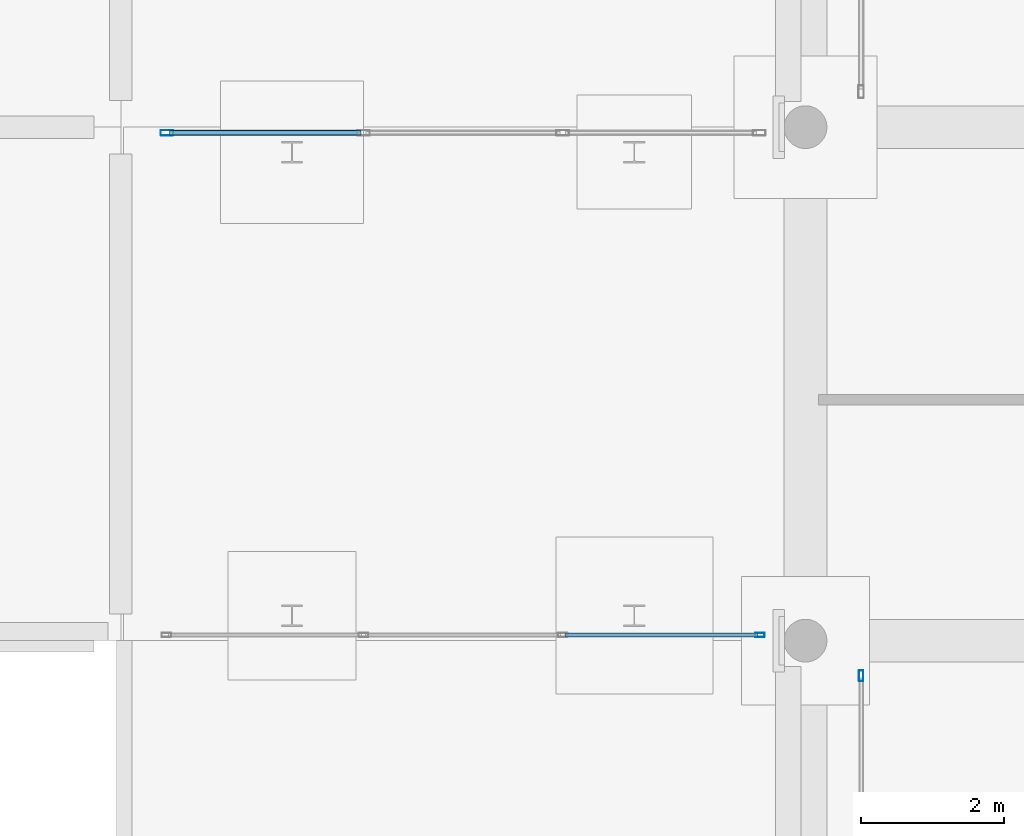
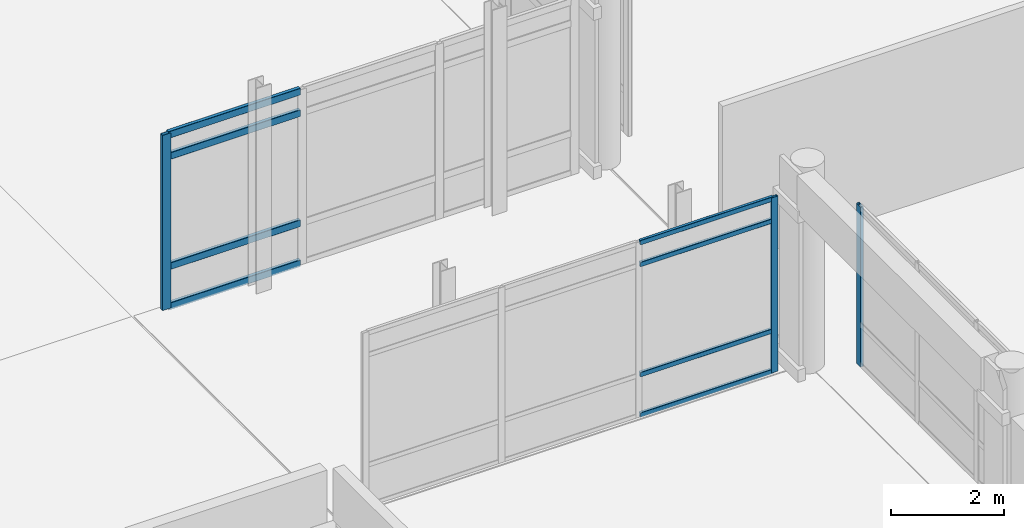
# One storey, part 74 of 196: 11 members, 3 elements without a shape of their own.
"""IFC4 building model written with IfcOpenShell, lengths in metres."""

from ifc_helpers import new_model, si_unit, direction, frame, origin, origin_2d, place, context, subcontext, project, spatial, hollow_rectangle, extrude, material, layer, layer_set, material_profile, profile_set, type_object, element, aggregate, save


model = new_model("IFC4")

# Units and contexts
model_context = context("Model", 3, precision=1e-05, world=origin(), true_north=direction((0.0, 1.0)))
body_context = subcontext(model_context, "Body", "Model", "MODEL_VIEW")
ifc_project = project(units=[si_unit("LENGTHUNIT", "METRE"), si_unit("AREAUNIT", "SQUARE_METRE"), si_unit("VOLUMEUNIT", "CUBIC_METRE"), si_unit("PLANEANGLEUNIT", "RADIAN"), si_unit("MASSUNIT", "GRAM", prefix="KILO")], contexts=[model_context])

# Site, building, storey
site_placement = place(None, origin())
site = spatial("IfcSite", under=ifc_project, at=site_placement, CompositionType="ELEMENT")
building_placement = place(site_placement, origin())
building = spatial("IfcBuilding", under=site, at=building_placement, Name="Asteropetra Specialist Clinic", CompositionType="ELEMENT")
storey_placement = place(building_placement, origin())
storey = spatial("IfcBuildingStorey", under=building, at=storey_placement, Name="L00", CompositionType="ELEMENT", Elevation=0.0)

# Curtain wall, member
ifc_material_1 = material(Name="Aluminium and low-E glass", Category="aluminium")
ifc_layer_1 = layer(ifc_material_1, 0.14990234375)
ifc_layer_set_1 = layer_set([ifc_layer_1], Name="Aluminium and low-E glass")
curtain_wall_type_1 = type_object("IfcCurtainWallType", Name="CW-SYS-02", PredefinedType="USERDEFINED", material=ifc_layer_set_1)
curtain_wall_1_placement = place(storey_placement, origin())
curtain_wall_1 = element("IfcCurtainWall", 1, at=curtain_wall_1_placement, inside=storey, type_object=curtain_wall_type_1, Name="Curtain Wall CW-113", ObjectType="UNITISED CURTAIN WALL", PredefinedType="USERDEFINED")
ifc_material_2 = material(Name="Aluminium 6063-T6", Category="aluminium")
ifc_material_profile_1 = material_profile(ifc_material_2, hollow_rectangle(XDim=0.06005859375, YDim=0.135009765625, WallThickness=0.00341796875, InnerFilletRadius=0.00341796875, OuterFilletRadius=0.007080078125, at=origin_2d()), Name="MUL 135x60x3.5")
ifc_profile_set_1 = profile_set([ifc_material_profile_1], Name="Aluminium 6063-T6")
member_type_1 = type_object("IfcMemberType", Name="CWM-135x60", PredefinedType="MULLION", material=ifc_profile_set_1)
member_1_placement = place(storey_placement, frame((76.159912109375, 48.080078125, 0.0), z_axis=(0.0, 0.0, 1.0), x_axis=(0.0, 1.0, 0.0)))
member_1 = element("IfcMember", 2, at=member_1_placement, type_object=member_type_1, Name="CW-113 mullion 4", PredefinedType="MULLION", context=body_context, shape_type="SweptSolid", body=[
    extrude(hollow_rectangle(XDim=0.06005859375, YDim=0.135009765625, WallThickness=0.00341796875, InnerFilletRadius=0.00341796875, OuterFilletRadius=0.007080078125, at=origin_2d()), origin(), (0.0, 0.0, 1.0), 3.77001953125),
])

ifc_material_3 = material(Name="Aluminium and low-E glass", Category="aluminium")
ifc_layer_2 = layer(ifc_material_3, 0.179931640625)
ifc_layer_set_2 = layer_set([ifc_layer_2], Name="Aluminium and low-E glass")
curtain_wall_type_2 = type_object("IfcCurtainWallType", Name="CW-SYS-10", PredefinedType="USERDEFINED", material=ifc_layer_set_2)
curtain_wall_2_placement = place(storey_placement, origin())
curtain_wall_2 = element("IfcCurtainWall", 3, at=curtain_wall_2_placement, inside=storey, type_object=curtain_wall_type_2, Name="Curtain Wall CW-169", ObjectType="STICK GLAZED COLONNADE", PredefinedType="USERDEFINED")
ifc_material_4 = material(Name="Aluminium 6063-T6", Category="aluminium")
ifc_material_profile_2 = material_profile(ifc_material_4, hollow_rectangle(XDim=0.06494140625, YDim=0.14990234375, WallThickness=0.00390625, InnerFilletRadius=0.00390625, OuterFilletRadius=0.008056640625, at=origin_2d()), Name="MUL 150x65x4.0")
ifc_profile_set_2 = profile_set([ifc_material_profile_2], Name="Aluminium 6063-T6")
member_type_2 = type_object("IfcMemberType", Name="CWM-150x65", PredefinedType="MULLION", material=ifc_profile_set_2)
member_2_placement = place(storey_placement, frame((77.580078125, 47.507568359375, 0.0), z_axis=(0.0, 0.0, 1.0), x_axis=(1.0, 0.0, 0.0)))
member_2 = element("IfcMember", 4, at=member_2_placement, type_object=member_type_2, Name="CW-169 mullion 1", PredefinedType="MULLION", context=body_context, shape_type="SweptSolid", body=[
    extrude(hollow_rectangle(XDim=0.06494140625, YDim=0.14990234375, WallThickness=0.00390625, InnerFilletRadius=0.00390625, OuterFilletRadius=0.008056640625, at=origin_2d()), origin(), (0.0, 0.0, 1.0), 3.43994140625),
])
aggregate(curtain_wall_2, [member_2])

ifc_material_5 = material(Name="Aluminium and low-E glass", Category="aluminium")
ifc_layer_3 = layer(ifc_material_5, 0.135009765625)
ifc_layer_set_3 = layer_set([ifc_layer_3], Name="Aluminium and low-E glass")
curtain_wall_type_3 = type_object("IfcCurtainWallType", Name="CW-SYS-03", PredefinedType="USERDEFINED", material=ifc_layer_set_3)
curtain_wall_3_placement = place(storey_placement, origin())
curtain_wall_3 = element("IfcCurtainWall", 5, at=curtain_wall_3_placement, inside=storey, type_object=curtain_wall_type_3, Name="Curtain Wall CW-114", ObjectType="UNITISED CURTAIN WALL", PredefinedType="USERDEFINED")
ifc_material_6 = material(Name="Aluminium 6063-T6", Category="aluminium")
ifc_material_profile_3 = material_profile(ifc_material_6, hollow_rectangle(XDim=0.074951171875, YDim=0.179931640625, WallThickness=0.00390625, InnerFilletRadius=0.00390625, OuterFilletRadius=0.008056640625, at=origin_2d()), Name="MUL 180x75x4.0")
ifc_profile_set_3 = profile_set([ifc_material_profile_3], Name="Aluminium 6063-T6")
member_type_3 = type_object("IfcMemberType", Name="CWM-180x75", PredefinedType="MULLION", material=ifc_profile_set_3)
member_3_placement = place(storey_placement, frame((67.847412109375, 55.1201171875, 0.0), z_axis=(0.0, 0.0, 1.0), x_axis=(0.0, -1.0, 0.0)))
member_3 = element("IfcMember", 6, at=member_3_placement, type_object=member_type_3, Name="CW-114 mullion 4", PredefinedType="MULLION", context=body_context, shape_type="SweptSolid", body=[
    extrude(hollow_rectangle(XDim=0.074951171875, YDim=0.179931640625, WallThickness=0.00390625, InnerFilletRadius=0.00390625, OuterFilletRadius=0.008056640625, at=origin_2d()), origin(), (0.0, 0.0, 1.0), 3.77001953125),
])

# Member
ifc_material_7 = material(Name="Aluminium 6063-T6", Category="aluminium")
ifc_material_profile_4 = material_profile(ifc_material_7, hollow_rectangle(XDim=0.06005859375, YDim=0.10009765625, WallThickness=0.00341796875, InnerFilletRadius=0.00341796875, OuterFilletRadius=0.007080078125, at=origin_2d()), Name="TRN 100x60x3.5")
ifc_profile_set_4 = profile_set([ifc_material_profile_4], Name="Aluminium 6063-T6")
member_type_4 = type_object("IfcMemberType", Name="CWT-100x60", PredefinedType="USERDEFINED", material=ifc_profile_set_4)
member_4_placement = place(storey_placement, frame((73.4267578125, 48.080078125, 0.030029296875), z_axis=(1.0, 0.0, 0.0), x_axis=(0.0, 1.0, 0.0)))
member_4 = element("IfcMember", 7, at=member_4_placement, type_object=member_type_4, Name="CW-113 transom 3.1", ObjectType="TRANSOM", PredefinedType="USERDEFINED", context=body_context, shape_type="SweptSolid", body=[
    extrude(hollow_rectangle(XDim=0.06005859375, YDim=0.10009765625, WallThickness=0.00341796875, InnerFilletRadius=0.00341796875, OuterFilletRadius=0.007080078125, at=origin_2d()), origin(), (0.0, 0.0, 1.0), 2.703125),
])

member_5_placement = place(storey_placement, frame((73.4267578125, 48.080078125, 0.89990234375), z_axis=(1.0, 0.0, 0.0), x_axis=(0.0, 1.0, 0.0)))
member_5 = element("IfcMember", 8, at=member_5_placement, type_object=member_type_4, Name="CW-113 transom 3.2", ObjectType="TRANSOM", PredefinedType="USERDEFINED", context=body_context, shape_type="SweptSolid", body=[
    extrude(hollow_rectangle(XDim=0.06005859375, YDim=0.10009765625, WallThickness=0.00341796875, InnerFilletRadius=0.00341796875, OuterFilletRadius=0.007080078125, at=origin_2d()), origin(), (0.0, 0.0, 1.0), 2.703125),
])

member_6_placement = place(storey_placement, frame((73.4267578125, 48.080078125, 3.27001953125), z_axis=(1.0, 0.0, 0.0), x_axis=(0.0, 1.0, 0.0)))
member_6 = element("IfcMember", 9, at=member_6_placement, type_object=member_type_4, Name="CW-113 transom 3.3", ObjectType="TRANSOM", PredefinedType="USERDEFINED", context=body_context, shape_type="SweptSolid", body=[
    extrude(hollow_rectangle(XDim=0.06005859375, YDim=0.10009765625, WallThickness=0.00341796875, InnerFilletRadius=0.00341796875, OuterFilletRadius=0.007080078125, at=origin_2d()), origin(), (0.0, 0.0, 1.0), 2.703125),
])

member_7_placement = place(storey_placement, frame((73.4267578125, 48.080078125, 3.739990234375), z_axis=(1.0, 0.0, 0.0), x_axis=(0.0, 1.0, 0.0)))
member_7 = element("IfcMember", 10, at=member_7_placement, type_object=member_type_4, Name="CW-113 transom 3.4", ObjectType="TRANSOM", PredefinedType="USERDEFINED", context=body_context, shape_type="SweptSolid", body=[
    extrude(hollow_rectangle(XDim=0.06005859375, YDim=0.10009765625, WallThickness=0.00341796875, InnerFilletRadius=0.00341796875, OuterFilletRadius=0.007080078125, at=origin_2d()), origin(), (0.0, 0.0, 1.0), 2.703125),
])

aggregate(curtain_wall_1, [member_1, member_4, member_5, member_6, member_7])

ifc_material_8 = material(Name="Aluminium 6063-T6", Category="aluminium")
ifc_material_profile_5 = material_profile(ifc_material_8, hollow_rectangle(XDim=0.074951171875, YDim=0.14990234375, WallThickness=0.00390625, InnerFilletRadius=0.00390625, OuterFilletRadius=0.008056640625, at=origin_2d()), Name="TRN 150x75x4.0")
ifc_profile_set_5 = profile_set([ifc_material_profile_5], Name="Aluminium 6063-T6")
member_type_5 = type_object("IfcMemberType", Name="CWT-150x75", PredefinedType="USERDEFINED", material=ifc_profile_set_5)
member_8_placement = place(storey_placement, frame((70.56591796875, 55.1201171875, 0.03759765625), z_axis=(-1.0, 0.0, 0.0), x_axis=(0.0, -1.0, 0.0)))
member_8 = element("IfcMember", 11, at=member_8_placement, type_object=member_type_5, Name="CW-114 transom 3.1", ObjectType="TRANSOM", PredefinedType="USERDEFINED", context=body_context, shape_type="SweptSolid", body=[
    extrude(hollow_rectangle(XDim=0.074951171875, YDim=0.14990234375, WallThickness=0.00390625, InnerFilletRadius=0.00390625, OuterFilletRadius=0.008056640625, at=origin_2d()), origin(), (0.0, 0.0, 1.0), 2.680908203125),
])

member_9_placement = place(storey_placement, frame((70.56591796875, 55.1201171875, 0.89990234375), z_axis=(-1.0, 0.0, 0.0), x_axis=(0.0, -1.0, 0.0)))
member_9 = element("IfcMember", 12, at=member_9_placement, type_object=member_type_5, Name="CW-114 transom 3.2", ObjectType="TRANSOM", PredefinedType="USERDEFINED", context=body_context, shape_type="SweptSolid", body=[
    extrude(hollow_rectangle(XDim=0.074951171875, YDim=0.14990234375, WallThickness=0.00390625, InnerFilletRadius=0.00390625, OuterFilletRadius=0.008056640625, at=origin_2d()), origin(), (0.0, 0.0, 1.0), 2.680908203125),
])

member_10_placement = place(storey_placement, frame((70.56591796875, 55.1201171875, 3.27001953125), z_axis=(-1.0, 0.0, 0.0), x_axis=(0.0, -1.0, 0.0)))
member_10 = element("IfcMember", 13, at=member_10_placement, type_object=member_type_5, Name="CW-114 transom 3.3", ObjectType="TRANSOM", PredefinedType="USERDEFINED", context=body_context, shape_type="SweptSolid", body=[
    extrude(hollow_rectangle(XDim=0.074951171875, YDim=0.14990234375, WallThickness=0.00390625, InnerFilletRadius=0.00390625, OuterFilletRadius=0.008056640625, at=origin_2d()), origin(), (0.0, 0.0, 1.0), 2.680908203125),
])

member_11_placement = place(storey_placement, frame((70.56591796875, 55.1201171875, 3.732421875), z_axis=(-1.0, 0.0, 0.0), x_axis=(0.0, -1.0, 0.0)))
member_11 = element("IfcMember", 14, at=member_11_placement, type_object=member_type_5, Name="CW-114 transom 3.4", ObjectType="TRANSOM", PredefinedType="USERDEFINED", context=body_context, shape_type="SweptSolid", body=[
    extrude(hollow_rectangle(XDim=0.074951171875, YDim=0.14990234375, WallThickness=0.00390625, InnerFilletRadius=0.00390625, OuterFilletRadius=0.008056640625, at=origin_2d()), origin(), (0.0, 0.0, 1.0), 2.680908203125),
])

aggregate(curtain_wall_3, [member_3, member_8, member_9, member_10, member_11])

save(model, "model.ifc")
